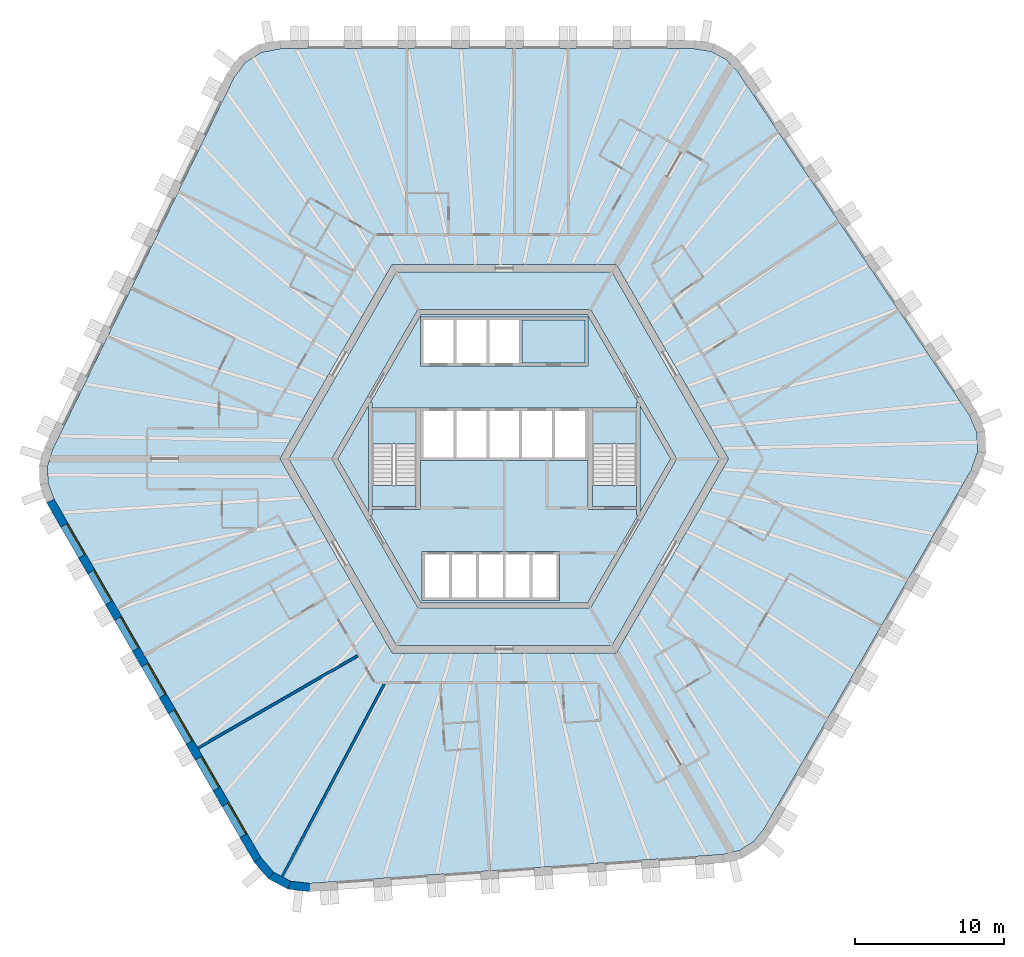
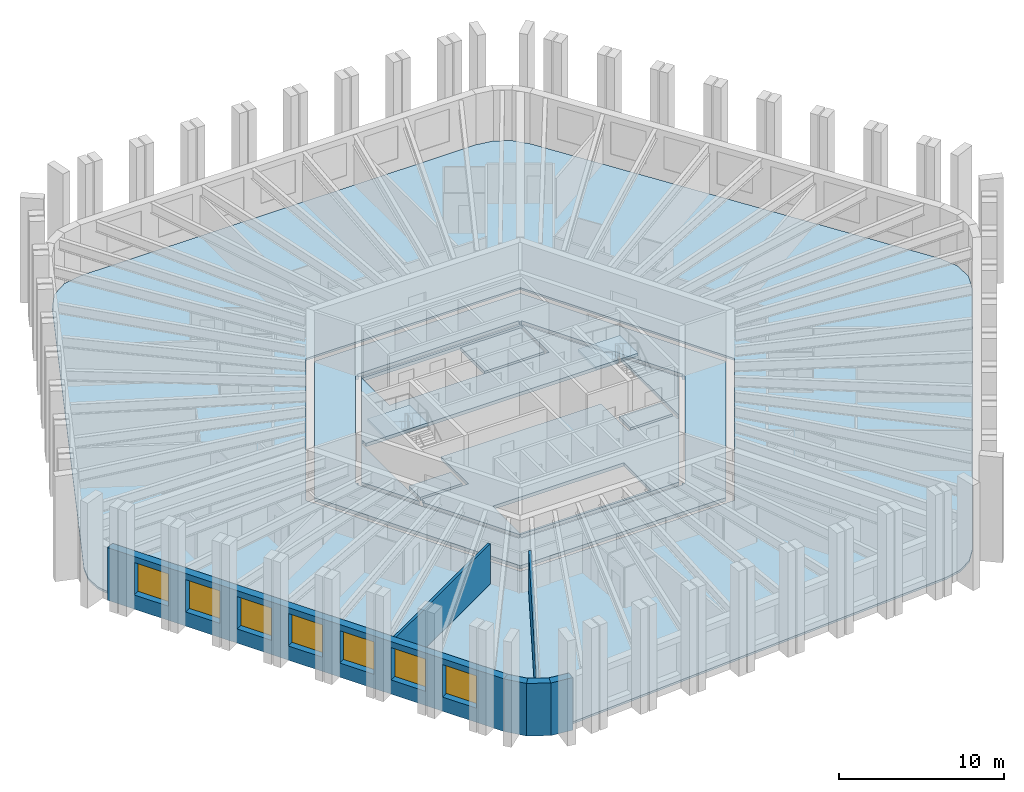
# One storey, part 2 of 11: 11 slabs, 7 windows, 6 walls, 7 openings, 2 elements without a shape of their own.
"""IFC4 building model written with IfcOpenShell, lengths in metres."""

from ifc_helpers import new_model, si_unit, direction, frame, frame_2d, origin, place, context, subcontext, project, spatial, polyline, rectangle, outline, extrude, material, layer, layer_set, type_object, element, fill, aggregate, save


model = new_model("IFC4")

# Units and contexts
model_context = context("Model", 3, precision=1e-05, world=origin(), true_north=direction((0.0, 1.0)))
body_context = subcontext(model_context, "Body", "Model", "MODEL_VIEW")
ifc_project = project(units=[si_unit("LENGTHUNIT", "METRE"), si_unit("AREAUNIT", "SQUARE_METRE"), si_unit("VOLUMEUNIT", "CUBIC_METRE"), si_unit("PLANEANGLEUNIT", "RADIAN"), si_unit("MASSUNIT", "GRAM", prefix="KILO")], contexts=[model_context])

# Site, building, storey
site_placement = place(None, origin())
site = spatial("IfcSite", under=ifc_project, at=site_placement, CompositionType="ELEMENT")
building_placement = place(site_placement, origin())
building = spatial("IfcBuilding", under=site, at=building_placement, Name="Tarnside Tower", CompositionType="ELEMENT")
storey_placement = place(building_placement, frame((0.0, 0.0, 207.300048828125)))
storey = spatial("IfcBuildingStorey", under=building, at=storey_placement, Name="L49", CompositionType="ELEMENT", Elevation=207.300048828125)

# Slabs
ifc_material_1 = material(Name="Concrete C35/45", Category="concrete")
ifc_layer_1 = layer(ifc_material_1, 0.14990234375)
ifc_layer_set_1 = layer_set([ifc_layer_1], Name="Composite floor slab 150")
slab_type_1 = type_object("IfcSlabType", Name="Composite floor slab 150", PredefinedType="FLOOR", material=ifc_layer_set_1)
slab_1_placement = place(storey_placement, frame((0.0, 0.0, -0.150146484375)))
element("IfcSlab", 1, at=slab_1_placement, inside=storey, type_object=slab_type_1, Name="Floor slab L49", PredefinedType="FLOOR", context=body_context, shape_type="SweptSolid", body=[
    extrude(outline(polyline([(13.864013671875, 27.264892578125), (14.85107421875, 26.740234375), (15.6337890625, 25.91064453125), (31.12890625, 2.938232421875), (31.644287109375, 1.7431640625), (31.68896484375, 0.468505859375), (31.258056640625, -0.759521484375), (17.403076171875, -24.7568359375), (16.68017578125, -25.63916015625), (15.732177734375, -26.2314453125), (14.622314453125, -26.494384765625), (-13.02001953125, -28.427490234375), (-14.3125, -28.2763671875), (-15.438720703125, -27.677490234375), (-16.286865234375, -26.6904296875), (-30.1416015625, -2.693115234375), (-30.544189453125, -1.6259765625), (-30.583251953125, -0.5087890625), (-30.256103515625, 0.583984375), (-18.10888671875, 25.4892578125), (-17.331787109375, 26.533203125), (-16.250244140625, 27.208984375), (-14.97119140625, 27.449951171875), (12.738525390625, 27.449951171875), (13.864013671875, 27.264892578125)]), holes=[polyline([(-15.010986328125, 0.0), (-7.505615234375, -13.0), (7.505615234375, -13.0), (15.010986328125, 0.0), (7.505615234375, 13.0), (-7.505615234375, 13.0), (-15.010986328125, 0.0)])]), origin(), (0.0, 0.0, 1.0), 0.150146484375),
])
ifc_material_2 = material(Name="Concrete C40/50", Category="concrete")
ifc_layer_2 = layer(ifc_material_2, 0.25)
ifc_layer_set_2 = layer_set([ifc_layer_2], Name="Core slab C40/50")
slab_type_2 = type_object("IfcSlabType", Name="Core slab C40/50", PredefinedType="FLOOR", material=ifc_layer_set_2)
slab_2_placement = place(storey_placement, frame((0.0, 0.0, -0.25)))
element("IfcSlab", 2, at=slab_2_placement, inside=storey, type_object=slab_type_2, Name="L49 core floor slab 1", PredefinedType="FLOOR", context=body_context, shape_type="SweptSolid", body=[
    extrude(outline(polyline([(-7.216796875, 12.5), (7.216796875, 12.5), (14.433837890625, 0.0), (7.216796875, -12.5), (-7.216796875, -12.5), (-14.433837890625, 0.0), (-7.216796875, 12.5)]), holes=[polyline([(5.823974609375, -9.91259765625), (11.49658203125, -0.08740234375), (11.344970703125, 0.0), (11.49658203125, 0.08740234375), (5.823974609375, 9.91259765625), (5.672607421875, 9.824951171875), (5.672607421875, 10.0), (-5.672607421875, 10.0), (-5.672607421875, 9.824951171875), (-5.823974609375, 9.91259765625), (-11.49658203125, 0.08740234375), (-11.344970703125, 0.0), (-11.49658203125, -0.08740234375), (-5.823974609375, -9.91259765625), (-5.672607421875, -9.824951171875), (-5.672607421875, -10.0), (5.672607421875, -10.0), (5.672607421875, -9.824951171875), (5.823974609375, -9.91259765625)])]), origin(), (0.0, 0.0, 1.0), 0.25),
])
slab_3_placement = place(storey_placement, frame((0.0, 0.0, -0.25)))
element("IfcSlab", 3, at=slab_3_placement, inside=storey, type_object=slab_type_2, Name="L49 core floor slab 2", PredefinedType="FLOOR", context=body_context, shape_type="SweptSolid", body=[
    extrude(outline(polyline([(-8.97509765625, 3.7548828125), (-5.5712890625, 9.64990234375), (5.5712890625, 9.64990234375), (8.97509765625, 3.7548828125), (8.85009765625, 3.7548828125), (8.85009765625, 3.39990234375), (5.89990234375, 3.39990234375), (5.60009765625, 3.39990234375), (5.60009765625, 3.39990234375), (-5.60009765625, 3.39990234375), (-5.89990234375, 3.39990234375), (-8.85009765625, 3.39990234375), (-8.85009765625, 3.7548828125), (-8.97509765625, 3.7548828125)]), holes=[polyline([(-5.60009765625, 6.199951171875), (5.60009765625, 6.199951171875), (5.60009765625, 6.39990234375), (5.60009765625, 9.300048828125), (5.60009765625, 9.5), (-5.60009765625, 9.5), (-5.60009765625, 9.300048828125), (-5.60009765625, 6.39990234375), (-5.60009765625, 6.199951171875)])]), origin(), (0.0, 0.0, 1.0), 0.25),
])
slab_4_placement = place(storey_placement, frame((0.0, 0.0, -0.25)))
element("IfcSlab", 4, at=slab_4_placement, inside=storey, type_object=slab_type_2, Name="L49 core floor slab 3", PredefinedType="FLOOR", context=body_context, shape_type="SweptSolid", body=[
    extrude(outline(polyline([(5.60009765625, -3.39990234375), (5.89990234375, -3.39990234375), (8.85009765625, -3.39990234375), (8.85009765625, -3.7548828125), (8.97509765625, -3.7548828125), (5.5712890625, -9.64990234375), (-5.5712890625, -9.64990234375), (-8.97509765625, -3.7548828125), (-8.85009765625, -3.7548828125), (-8.85009765625, -3.39990234375), (-5.89990234375, -3.39990234375), (-5.60009765625, -3.39990234375), (-5.60009765625, -0.10009765625), (5.60009765625, -0.10009765625), (5.60009765625, -3.39990234375)]), holes=[polyline([(-5.5, -9.300048828125), (-5.5, -9.5), (3.699951171875, -9.5), (3.699951171875, -9.300048828125), (3.699951171875, -6.39990234375), (3.699951171875, -6.199951171875), (-5.5, -6.199951171875), (-5.5, -6.39990234375), (-5.5, -9.300048828125)])]), origin(), (0.0, 0.0, 1.0), 0.25),
])
slab_5_placement = place(storey_placement, frame((0.0, 0.0, -0.25)))
element("IfcSlab", 5, at=slab_5_placement, inside=storey, type_object=slab_type_2, Name="L49 core floor slab 4", PredefinedType="FLOOR", context=body_context, shape_type="SweptSolid", body=[
    extrude(outline(polyline([(-11.142822265625, 0.0), (-9.10009765625, 3.538330078125), (-9.10009765625, -3.538330078125), (-11.142822265625, 0.0)])), origin(), (0.0, 0.0, 1.0), 0.25),
])
slab_6_placement = place(storey_placement, frame((0.0, 0.0, -0.25)))
element("IfcSlab", 6, at=slab_6_placement, inside=storey, type_object=slab_type_2, Name="L49 core floor slab 5", PredefinedType="FLOOR", context=body_context, shape_type="SweptSolid", body=[
    extrude(outline(polyline([(-8.85009765625, -1.800048828125), (-5.89990234375, -1.800048828125), (-5.89990234375, -3.199951171875), (-8.85009765625, -3.199951171875), (-8.85009765625, -1.800048828125)])), origin(), (0.0, 0.0, 1.0), 0.25),
])
slab_7_placement = place(storey_placement, frame((0.0, 0.0, -0.25)))
element("IfcSlab", 7, at=slab_7_placement, inside=storey, type_object=slab_type_2, Name="L49 core floor slab 6", PredefinedType="FLOOR", context=body_context, shape_type="SweptSolid", body=[
    extrude(outline(polyline([(5.89990234375, -3.199951171875), (5.89990234375, -1.800048828125), (8.85009765625, -1.800048828125), (8.85009765625, -3.199951171875), (5.89990234375, -3.199951171875)])), origin(), (0.0, 0.0, 1.0), 0.25),
])
slab_8_placement = place(storey_placement, frame((0.0, 0.0, -0.25)))
element("IfcSlab", 8, at=slab_8_placement, inside=storey, type_object=slab_type_2, Name="L49 core floor slab 7", PredefinedType="FLOOR", context=body_context, shape_type="SweptSolid", body=[
    extrude(outline(polyline([(9.10009765625, -3.538330078125), (9.10009765625, 3.538330078125), (11.142822265625, 0.0), (9.10009765625, -3.538330078125)])), origin(), (0.0, 0.0, 1.0), 0.25),
])
slab_9_placement = place(storey_placement, frame((0.0, 0.0, -0.25)))
element("IfcSlab", 9, at=slab_9_placement, inside=storey, type_object=slab_type_2, Name="L49 core floor slab 8", PredefinedType="FLOOR", context=body_context, shape_type="SweptSolid", body=[
    extrude(outline(polyline([(5.39990234375, 9.300048828125), (5.39990234375, 6.39990234375), (1.199951171875, 6.39990234375), (1.199951171875, 9.300048828125), (5.39990234375, 9.300048828125)])), origin(), (0.0, 0.0, 1.0), 0.25),
])

# Stair, slab
stair_type = type_object("IfcStairType", Name="Exit stair 1400 clear", PredefinedType="HALF_TURN_STAIR", material=ifc_material_2)
stair_1_placement = place(storey_placement, origin())
stair_1 = element("IfcStair", 10, at=stair_1_placement, inside=storey, type_object=stair_type, Name="L49 Exit stair 1", PredefinedType="HALF_TURN_STAIR")
ifc_layer_3 = layer(ifc_material_2, 0.199951171875)
ifc_layer_set_3 = layer_set([ifc_layer_3], Name="Stair landing 200 C40/50")
slab_type_3 = type_object("IfcSlabType", Name="Stair landing 200 C40/50", PredefinedType="LANDING", material=ifc_layer_set_3)
slab_10_placement = place(storey_placement, frame((0.0, 0.0, 1.75)))
slab_10 = element("IfcSlab", 11, at=slab_10_placement, type_object=slab_type_3, Name="ST1 landing 1", PredefinedType="LANDING", context=body_context, shape_type="SweptSolid", body=[
    extrude(outline(polyline([(8.85009765625, 1.0), (8.85009765625, 3.199951171875), (5.89990234375, 3.199951171875), (5.89990234375, 1.0), (8.85009765625, 1.0)])), origin(), (0.0, 0.0, 1.0), 0.199951171875),
])
aggregate(stair_1, [slab_10])

stair_2_placement = place(storey_placement, origin())
stair_2 = element("IfcStair", 12, at=stair_2_placement, inside=storey, type_object=stair_type, Name="L49 Exit stair 2", PredefinedType="HALF_TURN_STAIR")
slab_11_placement = place(storey_placement, frame((0.0, 0.0, 1.75)))
slab_11 = element("IfcSlab", 13, at=slab_11_placement, type_object=slab_type_3, Name="ST2 landing 1", PredefinedType="LANDING", context=body_context, shape_type="SweptSolid", body=[
    extrude(outline(polyline([(-5.89990234375, 1.0), (-5.89990234375, 3.199951171875), (-8.85009765625, 3.199951171875), (-8.85009765625, 1.0), (-5.89990234375, 1.0)])), origin(), (0.0, 0.0, 1.0), 0.199951171875),
])
aggregate(stair_2, [slab_11])

# Walls
ifc_material_3 = material(Name="Gypsum board partition on steel studs", Category="steel")
ifc_layer_4 = layer(ifc_material_3, 0.179931640625)
ifc_layer_set_4 = layer_set([ifc_layer_4], Name="Demising wall 180 EI 60")
wall_type_1 = type_object("IfcWallType", Name="Demising wall 180 EI 60", PredefinedType="PARTITIONING", material=ifc_layer_set_4)
wall_1_placement = place(storey_placement, frame((-20.513427734375, -19.36962890625, 0.0), z_axis=(0.0, 0.0, 1.0), x_axis=(0.866024931941, 0.500000817256, 0.0)))
element("IfcWall", 14, at=wall_1_placement, inside=storey, type_object=wall_type_1, Name="Demising wall 16083", PredefinedType="PARTITIONING", context=body_context, shape_type="SweptSolid", body=[
    extrude(rectangle(XDim=12.375, YDim=0.179931640625, at=frame_2d((6.1875, 0.0))), origin(), (0.0, 0.0, 1.0), 2.98779296875),
])
wall_2_placement = place(storey_placement, frame((-14.875732421875, -27.97705078125, 0.0), z_axis=(0.0, 0.0, 1.0), x_axis=(0.469468328163, 0.882949312731, 0.0)))
element("IfcWall", 15, at=wall_2_placement, inside=storey, type_object=wall_type_1, Name="Demising wall 16084", PredefinedType="PARTITIONING", context=body_context, shape_type="SweptSolid", body=[
    extrude(rectangle(XDim=14.612548828125, YDim=0.179931640625, at=frame_2d((7.30615234375, 0.0))), origin(), (0.0, 0.0, 1.0), 2.98779296875),
])

# Wall, openings, windows
ifc_material_4 = material(Name="Facing brick", Category="masonry")
ifc_layer_5 = layer(ifc_material_4, 0.10205078125)
ifc_material_5 = material(Name="Concrete C60/75 precast", Category="concrete")
ifc_layer_6 = layer(ifc_material_5, 0.347900390625)
ifc_material_6 = material(Name="Mineral wool insulation")
ifc_layer_7 = layer(ifc_material_6, 0.10009765625)
ifc_layer_set_5 = layer_set([ifc_layer_5, ifc_layer_6, ifc_layer_7], Name="Tube wall 550 brick faced")
wall_type_2 = type_object("IfcWallType", Name="Tube wall 550 brick faced", PredefinedType="SOLIDWALL", material=ifc_layer_set_5)
wall_3_placement = place(storey_placement, frame((-30.39111328125, -2.81103515625, -0.150146484375), z_axis=(0.0, 0.0, 1.0), x_axis=(0.499998569178, -0.866026229868, 0.0)))
wall_3 = element("IfcWall", 16, at=wall_3_placement, inside=storey, type_object=wall_type_2, Name="Tube wall L49 F3 flush 08", PredefinedType="SOLIDWALL", context=body_context, shape_type="SweptSolid", body=[
    extrude(outline(polyline([(-0.0224609375, -0.27490234375), (27.783447265625, -0.27490234375), (27.732177734375, 0.27490234375), (0.0224609375, 0.27490234375), (-0.0224609375, -0.27490234375)])), origin(), (0.0, 0.0, 1.0), 3.900146484375),
])
opening_1_placement = place(wall_3_placement, frame((1.87890625, 0.0, 1.050048828125)))
opening_1 = element("IfcOpeningElement", 17, at=opening_1_placement, cuts=wall_3, Name="Opening WH", PredefinedType="OPENING", context=body_context, shape_type="SweptSolid", body=[
    extrude(rectangle(XDim=2.39990234375, YDim=2.39990234375, at=frame_2d((1.199951171875, 1.199951171875))), frame((0.0, 0.28515625, 0.0), z_axis=(0.0, -1.0, 0.0), x_axis=(1.0, 0.0, 0.0)), (0.0, 0.0, 1.0), 0.570068359375),
])
opening_2_placement = place(wall_3_placement, frame((5.47900390625, 0.0, 1.050048828125)))
opening_2 = element("IfcOpeningElement", 18, at=opening_2_placement, cuts=wall_3, Name="Opening WH", PredefinedType="OPENING", context=body_context, shape_type="SweptSolid", body=[
    extrude(rectangle(XDim=2.39990234375, YDim=2.39990234375, at=frame_2d((1.199951171875, 1.199951171875))), frame((0.0, 0.28515625, 0.0), z_axis=(0.0, -1.0, 0.0), x_axis=(1.0, 0.0, 0.0)), (0.0, 0.0, 1.0), 0.570068359375),
])
opening_3_placement = place(wall_3_placement, frame((9.078857421875, 0.0, 1.050048828125)))
opening_3 = element("IfcOpeningElement", 19, at=opening_3_placement, cuts=wall_3, Name="Opening WH", PredefinedType="OPENING", context=body_context, shape_type="SweptSolid", body=[
    extrude(rectangle(XDim=2.39990234375, YDim=2.39990234375, at=frame_2d((1.199951171875, 1.199951171875))), frame((0.0, 0.28515625, 0.0), z_axis=(0.0, -1.0, 0.0), x_axis=(1.0, 0.0, 0.0)), (0.0, 0.0, 1.0), 0.570068359375),
])
opening_4_placement = place(wall_3_placement, frame((12.678955078125, 0.0, 1.050048828125)))
opening_4 = element("IfcOpeningElement", 20, at=opening_4_placement, cuts=wall_3, Name="Opening WH", PredefinedType="OPENING", context=body_context, shape_type="SweptSolid", body=[
    extrude(rectangle(XDim=2.39990234375, YDim=2.39990234375, at=frame_2d((1.199951171875, 1.199951171875))), frame((0.0, 0.28515625, 0.0), z_axis=(0.0, -1.0, 0.0), x_axis=(1.0, 0.0, 0.0)), (0.0, 0.0, 1.0), 0.570068359375),
])
opening_5_placement = place(wall_3_placement, frame((16.27880859375, 0.0, 1.050048828125)))
opening_5 = element("IfcOpeningElement", 21, at=opening_5_placement, cuts=wall_3, Name="Opening WH", PredefinedType="OPENING", context=body_context, shape_type="SweptSolid", body=[
    extrude(rectangle(XDim=2.39990234375, YDim=2.39990234375, at=frame_2d((1.199951171875, 1.199951171875))), frame((0.0, 0.28515625, 0.0), z_axis=(0.0, -1.0, 0.0), x_axis=(1.0, 0.0, 0.0)), (0.0, 0.0, 1.0), 0.570068359375),
])
opening_6_placement = place(wall_3_placement, frame((19.87890625, 0.0, 1.050048828125)))
opening_6 = element("IfcOpeningElement", 22, at=opening_6_placement, cuts=wall_3, Name="Opening WH", PredefinedType="OPENING", context=body_context, shape_type="SweptSolid", body=[
    extrude(rectangle(XDim=2.39990234375, YDim=2.39990234375, at=frame_2d((1.199951171875, 1.199951171875))), frame((0.0, 0.28515625, 0.0), z_axis=(0.0, -1.0, 0.0), x_axis=(1.0, 0.0, 0.0)), (0.0, 0.0, 1.0), 0.570068359375),
])
opening_7_placement = place(wall_3_placement, frame((23.47900390625, 0.0, 1.050048828125)))
opening_7 = element("IfcOpeningElement", 23, at=opening_7_placement, cuts=wall_3, Name="Opening WH", PredefinedType="OPENING", context=body_context, shape_type="SweptSolid", body=[
    extrude(rectangle(XDim=2.39990234375, YDim=2.39990234375, at=frame_2d((1.199951171875, 1.199951171875))), frame((0.0, 0.28515625, 0.0), z_axis=(0.0, -1.0, 0.0), x_axis=(1.0, 0.0, 0.0)), (0.0, 0.0, 1.0), 0.570068359375),
])
ifc_material_7 = material(Name="Aluminium-framed double glazing", Category="aluminium")
window_type = type_object("IfcWindowType", Name="Hotel window 2400 x 2400", PartitioningType="DOUBLE_PANEL_VERTICAL", PredefinedType="WINDOW", material=ifc_material_7)
window_1_placement = place(opening_1_placement, frame((0.0, 0.205078125, 0.0)))
window_1 = element("IfcWindow", 24, at=window_1_placement, inside=storey, type_object=window_type, Name="E.WN.L49.F3.00", OverallHeight=2.39990234375, OverallWidth=2.39990234375, PartitioningType="DOUBLE_PANEL_VERTICAL", PredefinedType="WINDOW", context=body_context, shape_type="SweptSolid", body=[
    extrude(rectangle(XDim=2.39990234375, YDim=2.39990234375, at=frame_2d((1.199951171875, 1.199951171875))), frame((0.0, 0.030029296875, 0.0), z_axis=(0.0, -1.0, 0.0), x_axis=(1.0, 0.0, 0.0)), (0.0, 0.0, 1.0), 0.06005859375),
])
fill(opening_1, window_1)
window_2_placement = place(opening_2_placement, frame((0.0, 0.205078125, 0.0)))
window_2 = element("IfcWindow", 25, at=window_2_placement, inside=storey, type_object=window_type, Name="E.WN.L49.F3.01", OverallHeight=2.39990234375, OverallWidth=2.39990234375, PartitioningType="DOUBLE_PANEL_VERTICAL", PredefinedType="WINDOW", context=body_context, shape_type="SweptSolid", body=[
    extrude(rectangle(XDim=2.39990234375, YDim=2.39990234375, at=frame_2d((1.199951171875, 1.199951171875))), frame((0.0, 0.030029296875, 0.0), z_axis=(0.0, -1.0, 0.0), x_axis=(1.0, 0.0, 0.0)), (0.0, 0.0, 1.0), 0.06005859375),
])
fill(opening_2, window_2)
window_3_placement = place(opening_3_placement, frame((0.0, 0.205078125, 0.0)))
window_3 = element("IfcWindow", 26, at=window_3_placement, inside=storey, type_object=window_type, Name="E.WN.L49.F3.02", OverallHeight=2.39990234375, OverallWidth=2.39990234375, PartitioningType="DOUBLE_PANEL_VERTICAL", PredefinedType="WINDOW", context=body_context, shape_type="SweptSolid", body=[
    extrude(rectangle(XDim=2.39990234375, YDim=2.39990234375, at=frame_2d((1.199951171875, 1.199951171875))), frame((0.0, 0.030029296875, 0.0), z_axis=(0.0, -1.0, 0.0), x_axis=(1.0, 0.0, 0.0)), (0.0, 0.0, 1.0), 0.06005859375),
])
fill(opening_3, window_3)
window_4_placement = place(opening_4_placement, frame((0.0, 0.205078125, 0.0)))
window_4 = element("IfcWindow", 27, at=window_4_placement, inside=storey, type_object=window_type, Name="E.WN.L49.F3.03", OverallHeight=2.39990234375, OverallWidth=2.39990234375, PartitioningType="DOUBLE_PANEL_VERTICAL", PredefinedType="WINDOW", context=body_context, shape_type="SweptSolid", body=[
    extrude(rectangle(XDim=2.39990234375, YDim=2.39990234375, at=frame_2d((1.199951171875, 1.199951171875))), frame((0.0, 0.030029296875, 0.0), z_axis=(0.0, -1.0, 0.0), x_axis=(1.0, 0.0, 0.0)), (0.0, 0.0, 1.0), 0.06005859375),
])
fill(opening_4, window_4)
window_5_placement = place(opening_5_placement, frame((0.0, 0.205078125, 0.0)))
window_5 = element("IfcWindow", 28, at=window_5_placement, inside=storey, type_object=window_type, Name="E.WN.L49.F3.04", OverallHeight=2.39990234375, OverallWidth=2.39990234375, PartitioningType="DOUBLE_PANEL_VERTICAL", PredefinedType="WINDOW", context=body_context, shape_type="SweptSolid", body=[
    extrude(rectangle(XDim=2.39990234375, YDim=2.39990234375, at=frame_2d((1.199951171875, 1.199951171875))), frame((0.0, 0.030029296875, 0.0), z_axis=(0.0, -1.0, 0.0), x_axis=(1.0, 0.0, 0.0)), (0.0, 0.0, 1.0), 0.06005859375),
])
fill(opening_5, window_5)
window_6_placement = place(opening_6_placement, frame((0.0, 0.205078125, 0.0)))
window_6 = element("IfcWindow", 29, at=window_6_placement, inside=storey, type_object=window_type, Name="E.WN.L49.F3.05", OverallHeight=2.39990234375, OverallWidth=2.39990234375, PartitioningType="DOUBLE_PANEL_VERTICAL", PredefinedType="WINDOW", context=body_context, shape_type="SweptSolid", body=[
    extrude(rectangle(XDim=2.39990234375, YDim=2.39990234375, at=frame_2d((1.199951171875, 1.199951171875))), frame((0.0, 0.030029296875, 0.0), z_axis=(0.0, -1.0, 0.0), x_axis=(1.0, 0.0, 0.0)), (0.0, 0.0, 1.0), 0.06005859375),
])
fill(opening_6, window_6)
window_7_placement = place(opening_7_placement, frame((0.0, 0.205078125, 0.0)))
window_7 = element("IfcWindow", 30, at=window_7_placement, inside=storey, type_object=window_type, Name="E.WN.L49.F3.06", OverallHeight=2.39990234375, OverallWidth=2.39990234375, PartitioningType="DOUBLE_PANEL_VERTICAL", PredefinedType="WINDOW", context=body_context, shape_type="SweptSolid", body=[
    extrude(rectangle(XDim=2.39990234375, YDim=2.39990234375, at=frame_2d((1.199951171875, 1.199951171875))), frame((0.0, 0.030029296875, 0.0), z_axis=(0.0, -1.0, 0.0), x_axis=(1.0, 0.0, 0.0)), (0.0, 0.0, 1.0), 0.06005859375),
])
fill(opening_7, window_7)

# Walls
wall_4_placement = place(storey_placement, frame((-16.51220703125, -26.85009765625, -0.150146484375), z_axis=(0.0, 0.0, 1.0), x_axis=(0.651621950847, -0.758543890078, 0.0)))
element("IfcWall", 31, at=wall_4_placement, inside=storey, type_object=wall_type_2, Name="Tube wall L49 F3 chord 09", PredefinedType="SOLIDWALL", context=body_context, shape_type="SweptSolid", body=[
    extrude(outline(polyline([(-0.025634765625, -0.27490234375), (1.430908203125, -0.27490234375), (1.327392578125, 0.27490234375), (0.025634765625, 0.27490234375), (-0.025634765625, -0.27490234375)])), origin(), (0.0, 0.0, 1.0), 3.900146484375),
])
wall_5_placement = place(storey_placement, frame((-15.613525390625, -27.896240234375, -0.150146484375), z_axis=(0.0, 0.0, 1.0), x_axis=(0.882994189209, -0.469383917304, 0.0)))
element("IfcWall", 32, at=wall_5_placement, inside=storey, type_object=wall_type_2, Name="Tube wall L49 F3 chord 10", PredefinedType="SOLIDWALL", context=body_context, shape_type="SweptSolid", body=[
    extrude(outline(polyline([(-0.0517578125, -0.27490234375), (1.4306640625, -0.27490234375), (1.3271484375, 0.27490234375), (0.0517578125, 0.27490234375), (-0.0517578125, -0.27490234375)])), origin(), (0.0, 0.0, 1.0), 3.900146484375),
])
wall_6_placement = place(storey_placement, frame((-14.39599609375, -28.54345703125, -0.150146484375), z_axis=(0.0, 0.0, 1.0), x_axis=(0.993232537394, -0.11614269956, 0.0)))
element("IfcWall", 33, at=wall_6_placement, inside=storey, type_object=wall_type_2, Name="Tube wall L49 F3 chord 11", PredefinedType="SOLIDWALL", context=body_context, shape_type="SweptSolid", body=[
    extrude(outline(polyline([(-0.0517578125, -0.27490234375), (1.404541015625, -0.27490234375), (1.353271484375, 0.27490234375), (0.0517578125, 0.27490234375), (-0.0517578125, -0.27490234375)])), origin(), (0.0, 0.0, 1.0), 3.900146484375),
])

save(model, "model.ifc")
